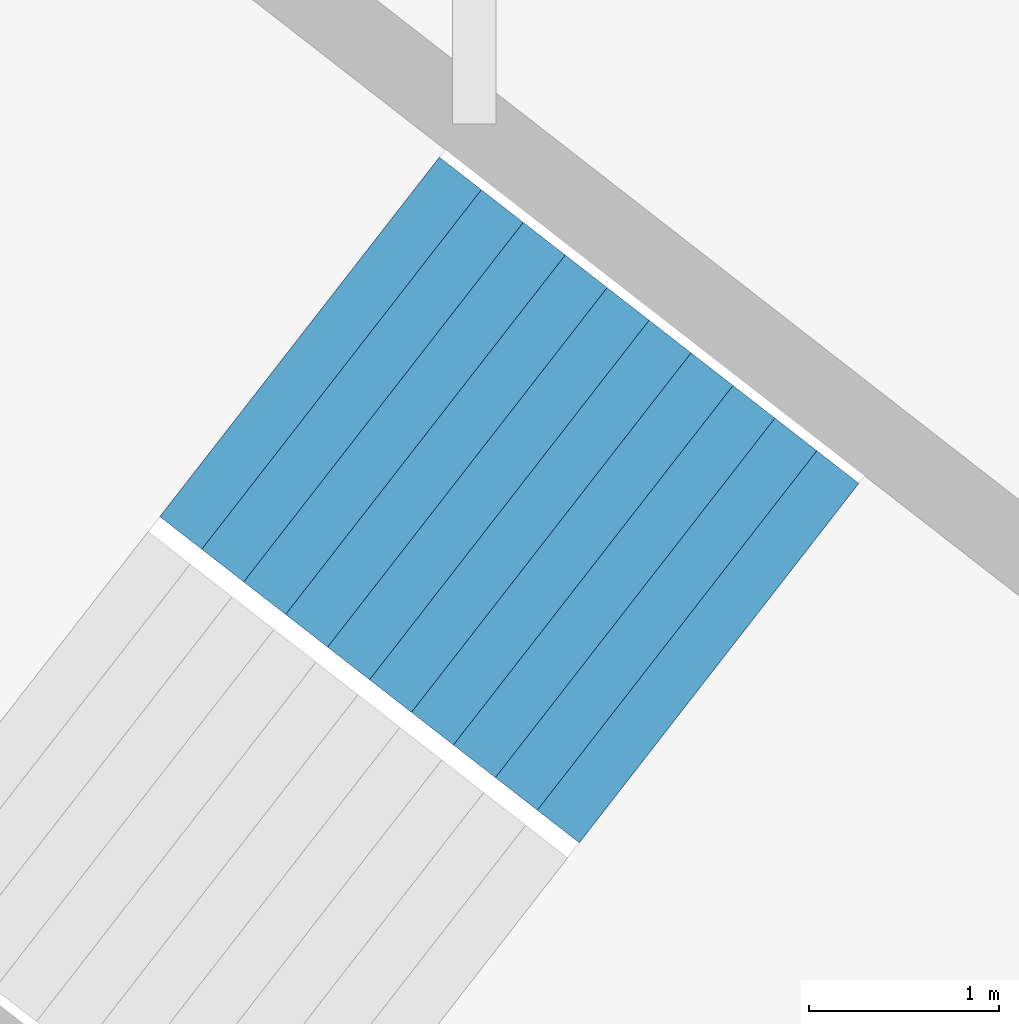
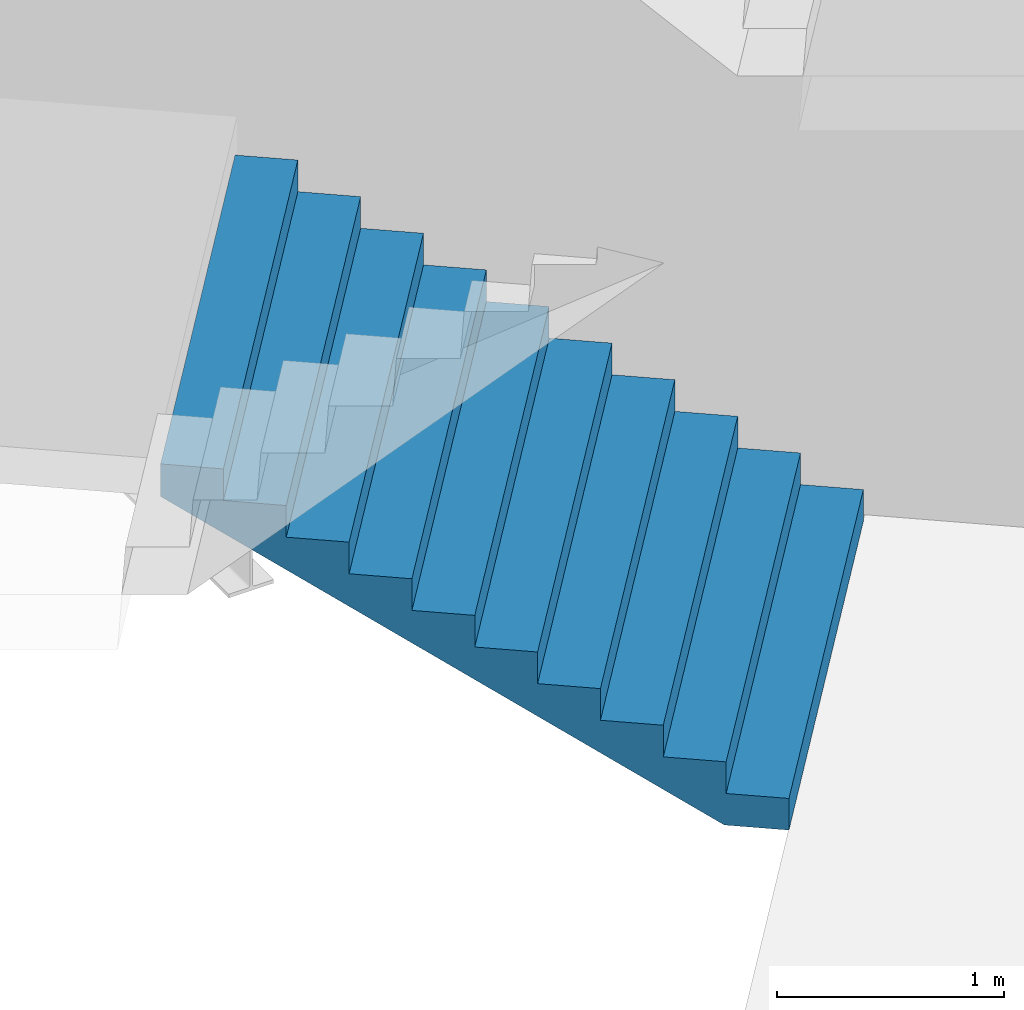
# One storey, part 39 of 73: 1 stair flight, 1 element without a shape of its own.
"""IFC4 building model written with IfcOpenShell, lengths in metres."""

from ifc_helpers import new_model, si_unit, direction, frame, origin, place, context, subcontext, project, spatial, triangles, material, type_object, element, aggregate, save


model = new_model("IFC4")

# Units and contexts
model_context = context("Model", 3, precision=1e-05, world=origin(), true_north=direction((0.0, 1.0)))
body_context = subcontext(model_context, "Body", "Model", "MODEL_VIEW")
ifc_project = project(units=[si_unit("LENGTHUNIT", "METRE"), si_unit("AREAUNIT", "SQUARE_METRE"), si_unit("VOLUMEUNIT", "CUBIC_METRE"), si_unit("PLANEANGLEUNIT", "RADIAN"), si_unit("MASSUNIT", "GRAM", prefix="KILO")], contexts=[model_context])

# Site, building, storey
site_placement = place(None, origin())
site = spatial("IfcSite", under=ifc_project, at=site_placement, CompositionType="ELEMENT")
building_placement = place(site_placement, origin())
building = spatial("IfcBuilding", under=site, at=building_placement, Name="Lantaw Convention Tower", CompositionType="ELEMENT")
storey_placement = place(building_placement, frame((0.0, 0.0, 14.5)))
storey = spatial("IfcBuildingStorey", under=building, at=storey_placement, Name="L02", CompositionType="ELEMENT", Elevation=14.5)

# Stair, stair flight
ifc_material = material(Name="Concrete C35/45", Category="concrete")
stair_type = type_object("IfcStairType", Name="Exit stair 2400 riser 170.45 in 4 flights", PredefinedType="HALF_TURN_STAIR", material=ifc_material)
stair_placement = place(storey_placement, origin())
stair = element("IfcStair", 1, at=stair_placement, inside=storey, type_object=stair_type, Name="Podium exit stair P7 L02", PredefinedType="HALF_TURN_STAIR")
stair_flight_type = type_object("IfcStairFlightType", Name="Stair flight 2400 riser 170.45", PredefinedType="STRAIGHT", material=ifc_material)
stair_flight_placement = place(storey_placement, frame((-27.959716796875, 23.327880859375, 0.0), z_axis=(0.0, 0.0, 1.0), x_axis=(-0.789378829664, 0.613906396186, 0.0)))
stair_flight = element("IfcStairFlight", 2, at=stair_flight_placement, type_object=stair_flight_type, Name="P7 flight 1", NumberOfRisers=11, NumberOfTreads=10, PredefinedType="STRAIGHT", RiserHeight=0.170454545, TreadLength=0.28, context=body_context, shape_type="Tessellation", body=[
    triangles([(0.0, 1.199951171875, 0.0), (0.0, 1.199951171875, 0.170454545), (0.28, 1.199951171875, 0.0), (0.28, 1.199951171875, 0.170454545), (0.28, 1.199951171875, 0.34090909), (0.28827876332691904, 1.199951171875, 0.0), (0.28827876332691904, 1.199951171875, 0.34090909), (0.56, 1.199951171875, 0.16541471344266906), (0.56, 1.199951171875, 0.34090909), (0.56, 1.199951171875, 0.511363635), (0.8400000000000001, 1.199951171875, 0.335869258442669), (0.8400000000000001, 1.199951171875, 0.511363635), (0.8400000000000001, 1.199951171875, 0.68181818), (1.12, 1.199951171875, 0.506323803442669), (1.12, 1.199951171875, 0.68181818), (1.12, 1.199951171875, 0.8522727250000001), (1.4000000000000001, 1.199951171875, 0.676778348442669), (1.4000000000000001, 1.199951171875, 0.8522727250000001), (1.4000000000000001, 1.199951171875, 1.02272727), (1.6800000000000002, 1.199951171875, 0.847232893442669), (1.6800000000000002, 1.199951171875, 1.02272727), (1.6800000000000002, 1.199951171875, 1.193181815), (1.9600000000000002, 1.199951171875, 1.017687438442669), (1.9600000000000002, 1.199951171875, 1.193181815), (1.9600000000000002, 1.199951171875, 1.36363636), (2.24, 1.199951171875, 1.188141983442669), (2.24, 1.199951171875, 1.36363636), (2.24, 1.199951171875, 1.5340909050000002), (2.5200000000000005, 1.199951171875, 1.358596528442669), (2.5200000000000005, 1.199951171875, 1.5340909050000002), (2.5200000000000005, 1.199951171875, 1.7045454500000001), (2.8000000000000003, 1.199951171875, 1.529051073442669), (2.8000000000000003, 1.199951171875, 1.7045454500000001), (0.0, -1.199951171875, 0.0), (0.0, -1.199951171875, 0.170454545), (0.28, -1.199951171875, 0.0), (0.28, -1.199951171875, 0.170454545), (0.28, -1.199951171875, 0.34090909), (0.28827876332691904, -1.199951171875, 0.0), (0.28827876332691904, -1.199951171875, 0.34090909), (0.56, -1.199951171875, 0.16541471344266906), (0.56, -1.199951171875, 0.34090909), (0.56, -1.199951171875, 0.511363635), (0.8400000000000001, -1.199951171875, 0.335869258442669), (0.8400000000000001, -1.199951171875, 0.511363635), (0.8400000000000001, -1.199951171875, 0.68181818), (1.12, -1.199951171875, 0.506323803442669), (1.12, -1.199951171875, 0.68181818), (1.12, -1.199951171875, 0.8522727250000001), (1.4000000000000001, -1.199951171875, 0.676778348442669), (1.4000000000000001, -1.199951171875, 0.8522727250000001), (1.4000000000000001, -1.199951171875, 1.02272727), (1.6800000000000002, -1.199951171875, 0.847232893442669), (1.6800000000000002, -1.199951171875, 1.02272727), (1.6800000000000002, -1.199951171875, 1.193181815), (1.9600000000000002, -1.199951171875, 1.017687438442669), (1.9600000000000002, -1.199951171875, 1.193181815), (1.9600000000000002, -1.199951171875, 1.36363636), (2.24, -1.199951171875, 1.188141983442669), (2.24, -1.199951171875, 1.36363636), (2.24, -1.199951171875, 1.5340909050000002), (2.5200000000000005, -1.199951171875, 1.358596528442669), (2.5200000000000005, -1.199951171875, 1.5340909050000002), (2.5200000000000005, -1.199951171875, 1.7045454500000001), (2.8000000000000003, -1.199951171875, 1.529051073442669), (2.8000000000000003, -1.199951171875, 1.7045454500000001), (0.0, 0.239990234375, 0.170454545), (0.0, 0.239990234375, 0.0), (0.0, 0.1199951171875, 0.170454545), (0.0, 0.1199951171875, 0.0), (0.0, 0.0, 0.170454545), (0.0, 0.0, 0.0), (0.0, -0.1199951171875, 0.170454545), (0.0, -0.1199951171875, 0.0), (0.0, -0.239990234375, 0.170454545), (0.0, -0.239990234375, 0.0), (0.28, 0.239990234375, 0.34090909), (0.28, 0.239990234375, 0.170454545), (0.28, 0.1199951171875, 0.34090909), (0.28, 0.1199951171875, 0.170454545), (0.28, 0.0, 0.34090909), (0.28, 0.0, 0.170454545), (0.28, -0.1199951171875, 0.34090909), (0.28, -0.1199951171875, 0.170454545), (0.28, -0.239990234375, 0.34090909), (0.28, -0.239990234375, 0.170454545), (0.56, 0.239990234375, 0.511363635), (0.56, 0.239990234375, 0.34090909), (0.56, 0.1199951171875, 0.511363635), (0.56, 0.1199951171875, 0.34090909), (0.56, 0.0, 0.511363635), (0.56, 0.0, 0.34090909), (0.56, -0.1199951171875, 0.511363635), (0.56, -0.1199951171875, 0.34090909), (0.56, -0.239990234375, 0.511363635), (0.56, -0.239990234375, 0.34090909), (0.8400000000000001, 0.239990234375, 0.68181818), (0.8400000000000001, 0.239990234375, 0.511363635), (0.8400000000000001, 0.1199951171875, 0.68181818), (0.8400000000000001, 0.1199951171875, 0.511363635), (0.8400000000000001, 0.0, 0.68181818), (0.8400000000000001, 0.0, 0.511363635), (0.8400000000000001, -0.1199951171875, 0.68181818), (0.8400000000000001, -0.1199951171875, 0.511363635), (0.8400000000000001, -0.239990234375, 0.68181818), (0.8400000000000001, -0.239990234375, 0.511363635), (1.12, 0.239990234375, 0.8522727250000001), (1.12, 0.239990234375, 0.68181818), (1.12, 0.1199951171875, 0.8522727250000001), (1.12, 0.1199951171875, 0.68181818), (1.12, 0.0, 0.8522727250000001), (1.12, 0.0, 0.68181818), (1.12, -0.1199951171875, 0.8522727250000001), (1.12, -0.1199951171875, 0.68181818), (1.12, -0.239990234375, 0.8522727250000001), (1.12, -0.239990234375, 0.68181818), (1.4000000000000001, 0.239990234375, 1.02272727), (1.4000000000000001, 0.239990234375, 0.8522727250000001), (1.4000000000000001, 0.1199951171875, 1.02272727), (1.4000000000000001, 0.1199951171875, 0.8522727250000001), (1.4000000000000001, 0.0, 1.02272727), (1.4000000000000001, 0.0, 0.8522727250000001), (1.4000000000000001, -0.1199951171875, 1.02272727), (1.4000000000000001, -0.1199951171875, 0.8522727250000001), (1.4000000000000001, -0.239990234375, 1.02272727), (1.4000000000000001, -0.239990234375, 0.8522727250000001), (1.6800000000000002, 0.239990234375, 1.193181815), (1.6800000000000002, 0.239990234375, 1.02272727), (1.6800000000000002, 0.1199951171875, 1.193181815), (1.6800000000000002, 0.1199951171875, 1.02272727), (1.6800000000000002, 0.0, 1.193181815), (1.6800000000000002, 0.0, 1.02272727), (1.6800000000000002, -0.1199951171875, 1.193181815), (1.6800000000000002, -0.1199951171875, 1.02272727), (1.6800000000000002, -0.239990234375, 1.193181815), (1.6800000000000002, -0.239990234375, 1.02272727), (1.9600000000000002, 0.239990234375, 1.36363636), (1.9600000000000002, 0.239990234375, 1.193181815), (1.9600000000000002, 0.1199951171875, 1.36363636), (1.9600000000000002, 0.1199951171875, 1.193181815), (1.9600000000000002, 0.0, 1.36363636), (1.9600000000000002, 0.0, 1.193181815), (1.9600000000000002, -0.1199951171875, 1.36363636), (1.9600000000000002, -0.1199951171875, 1.193181815), (1.9600000000000002, -0.239990234375, 1.36363636), (1.9600000000000002, -0.239990234375, 1.193181815), (2.24, 0.239990234375, 1.5340909050000002), (2.24, 0.239990234375, 1.36363636), (2.24, 0.1199951171875, 1.5340909050000002), (2.24, 0.1199951171875, 1.36363636), (2.24, 0.0, 1.5340909050000002), (2.24, 0.0, 1.36363636), (2.24, -0.1199951171875, 1.5340909050000002), (2.24, -0.1199951171875, 1.36363636), (2.24, -0.239990234375, 1.5340909050000002), (2.24, -0.239990234375, 1.36363636), (2.5200000000000005, 0.239990234375, 1.7045454500000001), (2.5200000000000005, 0.239990234375, 1.5340909050000002), (2.5200000000000005, 0.1199951171875, 1.7045454500000001), (2.5200000000000005, 0.1199951171875, 1.5340909050000002), (2.5200000000000005, 0.0, 1.7045454500000001), (2.5200000000000005, 0.0, 1.5340909050000002), (2.5200000000000005, -0.1199951171875, 1.7045454500000001), (2.5200000000000005, -0.1199951171875, 1.5340909050000002), (2.5200000000000005, -0.239990234375, 1.7045454500000001), (2.5200000000000005, -0.239990234375, 1.5340909050000002), (0.28827876332691904, 0.239990234375, 0.34090909), (0.28827876332691904, 0.1199951171875, 0.34090909), (0.28827876332691904, 0.0, 0.34090909), (0.28827876332691904, -0.1199951171875, 0.34090909), (0.28827876332691904, -0.239990234375, 0.34090909), (2.8000000000000003, 0.239990234375, 1.7045454500000001), (2.8000000000000003, 0.1199951171875, 1.7045454500000001), (2.8000000000000003, 0.0, 1.7045454500000001), (2.8000000000000003, -0.1199951171875, 1.7045454500000001), (2.8000000000000003, -0.239990234375, 1.7045454500000001), (2.8000000000000003, 0.239990234375, 1.5290510734426692), (2.8000000000000003, 0.1199951171875, 1.5290510734426692), (2.8000000000000003, 0.0, 1.5290510734426692), (2.8000000000000003, -0.1199951171875, 1.5290510734426692), (2.8000000000000003, -0.239990234375, 1.5290510734426692), (2.5200000000000005, 0.239990234375, 1.358596528442669), (2.5200000000000005, 0.1199951171875, 1.358596528442669), (2.5200000000000005, 0.0, 1.358596528442669), (2.5200000000000005, -0.1199951171875, 1.358596528442669), (2.5200000000000005, -0.239990234375, 1.358596528442669), (2.24, 0.239990234375, 1.188141983442669), (2.24, 0.1199951171875, 1.188141983442669), (2.24, 0.0, 1.188141983442669), (2.24, -0.1199951171875, 1.188141983442669), (2.24, -0.239990234375, 1.188141983442669), (1.9600000000000002, 0.239990234375, 1.017687438442669), (1.9600000000000002, 0.1199951171875, 1.017687438442669), (1.9600000000000002, 0.0, 1.017687438442669), (1.9600000000000002, -0.1199951171875, 1.017687438442669), (1.9600000000000002, -0.239990234375, 1.017687438442669), (1.6800000000000002, 0.239990234375, 0.847232893442669), (1.6800000000000002, 0.1199951171875, 0.847232893442669), (1.6800000000000002, 0.0, 0.847232893442669), (1.6800000000000002, -0.1199951171875, 0.847232893442669), (1.6800000000000002, -0.239990234375, 0.847232893442669), (1.4000000000000001, 0.239990234375, 0.676778348442669), (1.4000000000000001, 0.1199951171875, 0.676778348442669), (1.4000000000000001, 0.0, 0.676778348442669), (1.4000000000000001, -0.1199951171875, 0.676778348442669), (1.4000000000000001, -0.239990234375, 0.676778348442669), (1.12, 0.239990234375, 0.506323803442669), (1.12, 0.1199951171875, 0.506323803442669), (1.12, 0.0, 0.506323803442669), (1.12, -0.1199951171875, 0.506323803442669), (1.12, -0.239990234375, 0.506323803442669), (0.8400000000000001, 0.239990234375, 0.335869258442669), (0.8400000000000001, 0.1199951171875, 0.335869258442669), (0.8400000000000001, 0.0, 0.335869258442669), (0.8400000000000001, -0.1199951171875, 0.335869258442669), (0.8400000000000001, -0.239990234375, 0.335869258442669), (0.56, 0.239990234375, 0.16541471344266906), (0.56, 0.1199951171875, 0.16541471344266906), (0.56, 0.0, 0.16541471344266906), (0.56, -0.1199951171875, 0.16541471344266906), (0.56, -0.239990234375, 0.16541471344266906), (0.28827876332691904, 0.239990234375, 0.0), (0.28827876332691904, 0.1199951171875, 0.0), (0.28827876332691904, 0.0, 0.0), (0.28827876332691904, -0.1199951171875, 0.0), (0.28827876332691904, -0.239990234375, 0.0), (0.28, 0.239990234375, 0.0), (0.28, 0.1199951171875, 0.0), (0.28, 0.0, 0.0), (0.28, -0.1199951171875, 0.0), (0.28, -0.239990234375, 0.0)], [[1, 4, 3], [1, 2, 4], [3, 4, 6], [4, 7, 6], [4, 5, 7], [6, 9, 8], [6, 7, 9], [8, 9, 11], [9, 12, 11], [9, 10, 12], [11, 12, 14], [12, 15, 14], [12, 13, 15], [14, 15, 17], [15, 18, 17], [15, 16, 18], [17, 18, 20], [18, 21, 20], [18, 19, 21], [20, 21, 23], [21, 24, 23], [21, 22, 24], [23, 24, 26], [24, 27, 26], [24, 25, 27], [26, 27, 29], [27, 30, 29], [27, 28, 30], [29, 30, 32], [30, 33, 32], [30, 31, 33], [34, 36, 37], [34, 37, 35], [36, 39, 37], [37, 39, 40], [37, 40, 38], [39, 41, 42], [39, 42, 40], [41, 44, 42], [42, 44, 45], [42, 45, 43], [44, 47, 45], [45, 47, 48], [45, 48, 46], [47, 50, 48], [48, 50, 51], [48, 51, 49], [50, 53, 51], [51, 53, 54], [51, 54, 52], [53, 56, 54], [54, 56, 57], [54, 57, 55], [56, 59, 57], [57, 59, 60], [57, 60, 58], [59, 62, 60], [60, 62, 63], [60, 63, 61], [62, 65, 63], [63, 65, 66], [63, 66, 64], [1, 67, 2], [1, 68, 67], [68, 69, 67], [68, 70, 69], [70, 71, 69], [70, 72, 71], [72, 73, 71], [72, 74, 73], [74, 75, 73], [74, 76, 75], [76, 35, 75], [76, 34, 35], [4, 77, 5], [4, 78, 77], [78, 79, 77], [78, 80, 79], [80, 81, 79], [80, 82, 81], [82, 83, 81], [82, 84, 83], [84, 85, 83], [84, 86, 85], [86, 38, 85], [86, 37, 38], [9, 87, 10], [9, 88, 87], [88, 89, 87], [88, 90, 89], [90, 91, 89], [90, 92, 91], [92, 93, 91], [92, 94, 93], [94, 95, 93], [94, 96, 95], [96, 43, 95], [96, 42, 43], [12, 97, 13], [12, 98, 97], [98, 99, 97], [98, 100, 99], [100, 101, 99], [100, 102, 101], [102, 103, 101], [102, 104, 103], [104, 105, 103], [104, 106, 105], [106, 46, 105], [106, 45, 46], [15, 107, 16], [15, 108, 107], [108, 109, 107], [108, 110, 109], [110, 111, 109], [110, 112, 111], [112, 113, 111], [112, 114, 113], [114, 115, 113], [114, 116, 115], [116, 49, 115], [116, 48, 49], [18, 117, 19], [18, 118, 117], [118, 119, 117], [118, 120, 119], [120, 121, 119], [120, 122, 121], [122, 123, 121], [122, 124, 123], [124, 125, 123], [124, 126, 125], [126, 52, 125], [126, 51, 52], [21, 127, 22], [21, 128, 127], [128, 129, 127], [128, 130, 129], [130, 131, 129], [130, 132, 131], [132, 133, 131], [132, 134, 133], [134, 135, 133], [134, 136, 135], [136, 55, 135], [136, 54, 55], [24, 137, 25], [24, 138, 137], [138, 139, 137], [138, 140, 139], [140, 141, 139], [140, 142, 141], [142, 143, 141], [142, 144, 143], [144, 145, 143], [144, 146, 145], [146, 58, 145], [146, 57, 58], [27, 147, 28], [27, 148, 147], [148, 149, 147], [148, 150, 149], [150, 151, 149], [150, 152, 151], [152, 153, 151], [152, 154, 153], [154, 155, 153], [154, 156, 155], [156, 61, 155], [156, 60, 61], [30, 157, 31], [30, 158, 157], [158, 159, 157], [158, 160, 159], [160, 161, 159], [160, 162, 161], [162, 163, 161], [162, 164, 163], [164, 165, 163], [164, 166, 165], [166, 64, 165], [166, 63, 64], [2, 78, 4], [2, 67, 78], [67, 80, 78], [67, 69, 80], [69, 82, 80], [69, 71, 82], [71, 84, 82], [71, 73, 84], [73, 86, 84], [73, 75, 86], [75, 37, 86], [75, 35, 37], [5, 167, 7], [5, 77, 167], [77, 168, 167], [77, 79, 168], [79, 169, 168], [79, 81, 169], [81, 170, 169], [81, 83, 170], [83, 171, 170], [83, 85, 171], [85, 40, 171], [85, 38, 40], [7, 88, 9], [7, 167, 88], [167, 90, 88], [167, 168, 90], [168, 92, 90], [168, 169, 92], [169, 94, 92], [169, 170, 94], [170, 96, 94], [170, 171, 96], [171, 42, 96], [171, 40, 42], [10, 98, 12], [10, 87, 98], [87, 100, 98], [87, 89, 100], [89, 102, 100], [89, 91, 102], [91, 104, 102], [91, 93, 104], [93, 106, 104], [93, 95, 106], [95, 45, 106], [95, 43, 45], [13, 108, 15], [13, 97, 108], [97, 110, 108], [97, 99, 110], [99, 112, 110], [99, 101, 112], [101, 114, 112], [101, 103, 114], [103, 116, 114], [103, 105, 116], [105, 48, 116], [105, 46, 48], [16, 118, 18], [16, 107, 118], [107, 120, 118], [107, 109, 120], [109, 122, 120], [109, 111, 122], [111, 124, 122], [111, 113, 124], [113, 126, 124], [113, 115, 126], [115, 51, 126], [115, 49, 51], [19, 128, 21], [19, 117, 128], [117, 130, 128], [117, 119, 130], [119, 132, 130], [119, 121, 132], [121, 134, 132], [121, 123, 134], [123, 136, 134], [123, 125, 136], [125, 54, 136], [125, 52, 54], [22, 138, 24], [22, 127, 138], [127, 140, 138], [127, 129, 140], [129, 142, 140], [129, 131, 142], [131, 144, 142], [131, 133, 144], [133, 146, 144], [133, 135, 146], [135, 57, 146], [135, 55, 57], [25, 148, 27], [25, 137, 148], [137, 150, 148], [137, 139, 150], [139, 152, 150], [139, 141, 152], [141, 154, 152], [141, 143, 154], [143, 156, 154], [143, 145, 156], [145, 60, 156], [145, 58, 60], [28, 158, 30], [28, 147, 158], [147, 160, 158], [147, 149, 160], [149, 162, 160], [149, 151, 162], [151, 164, 162], [151, 153, 164], [153, 166, 164], [153, 155, 166], [155, 63, 166], [155, 61, 63], [31, 172, 33], [31, 157, 172], [157, 173, 172], [157, 159, 173], [159, 174, 173], [159, 161, 174], [161, 175, 174], [161, 163, 175], [163, 176, 175], [163, 165, 176], [165, 66, 176], [165, 64, 66], [33, 177, 32], [33, 172, 177], [172, 178, 177], [172, 173, 178], [173, 179, 178], [173, 174, 179], [174, 180, 179], [174, 175, 180], [175, 181, 180], [175, 176, 181], [176, 65, 181], [176, 66, 65], [32, 182, 29], [32, 177, 182], [177, 183, 182], [177, 178, 183], [178, 184, 183], [178, 179, 184], [179, 185, 184], [179, 180, 185], [180, 186, 185], [180, 181, 186], [181, 62, 186], [181, 65, 62], [29, 187, 26], [29, 182, 187], [182, 188, 187], [182, 183, 188], [183, 189, 188], [183, 184, 189], [184, 190, 189], [184, 185, 190], [185, 191, 190], [185, 186, 191], [186, 59, 191], [186, 62, 59], [26, 192, 23], [26, 187, 192], [187, 193, 192], [187, 188, 193], [188, 194, 193], [188, 189, 194], [189, 195, 194], [189, 190, 195], [190, 196, 195], [190, 191, 196], [191, 56, 196], [191, 59, 56], [23, 197, 20], [23, 192, 197], [192, 198, 197], [192, 193, 198], [193, 199, 198], [193, 194, 199], [194, 200, 199], [194, 195, 200], [195, 201, 200], [195, 196, 201], [196, 53, 201], [196, 56, 53], [20, 202, 17], [20, 197, 202], [197, 203, 202], [197, 198, 203], [198, 204, 203], [198, 199, 204], [199, 205, 204], [199, 200, 205], [200, 206, 205], [200, 201, 206], [201, 50, 206], [201, 53, 50], [17, 207, 14], [17, 202, 207], [202, 208, 207], [202, 203, 208], [203, 209, 208], [203, 204, 209], [204, 210, 209], [204, 205, 210], [205, 211, 210], [205, 206, 211], [206, 47, 211], [206, 50, 47], [14, 212, 11], [14, 207, 212], [207, 213, 212], [207, 208, 213], [208, 214, 213], [208, 209, 214], [209, 215, 214], [209, 210, 215], [210, 216, 215], [210, 211, 216], [211, 44, 216], [211, 47, 44], [11, 217, 8], [11, 212, 217], [212, 218, 217], [212, 213, 218], [213, 219, 218], [213, 214, 219], [214, 220, 219], [214, 215, 220], [215, 221, 220], [215, 216, 221], [216, 41, 221], [216, 44, 41], [8, 222, 6], [8, 217, 222], [217, 223, 222], [217, 218, 223], [218, 224, 223], [218, 219, 224], [219, 225, 224], [219, 220, 225], [220, 226, 225], [220, 221, 226], [221, 39, 226], [221, 41, 39], [6, 227, 3], [6, 222, 227], [222, 228, 227], [222, 223, 228], [223, 229, 228], [223, 224, 229], [224, 230, 229], [224, 225, 230], [225, 231, 230], [225, 226, 231], [226, 36, 231], [226, 39, 36], [3, 68, 1], [3, 227, 68], [227, 70, 68], [227, 228, 70], [228, 72, 70], [228, 229, 72], [229, 74, 72], [229, 230, 74], [230, 76, 74], [230, 231, 76], [231, 34, 76], [231, 36, 34]], closed=True),
])
aggregate(stair, [stair_flight])

save(model, "model.ifc")
